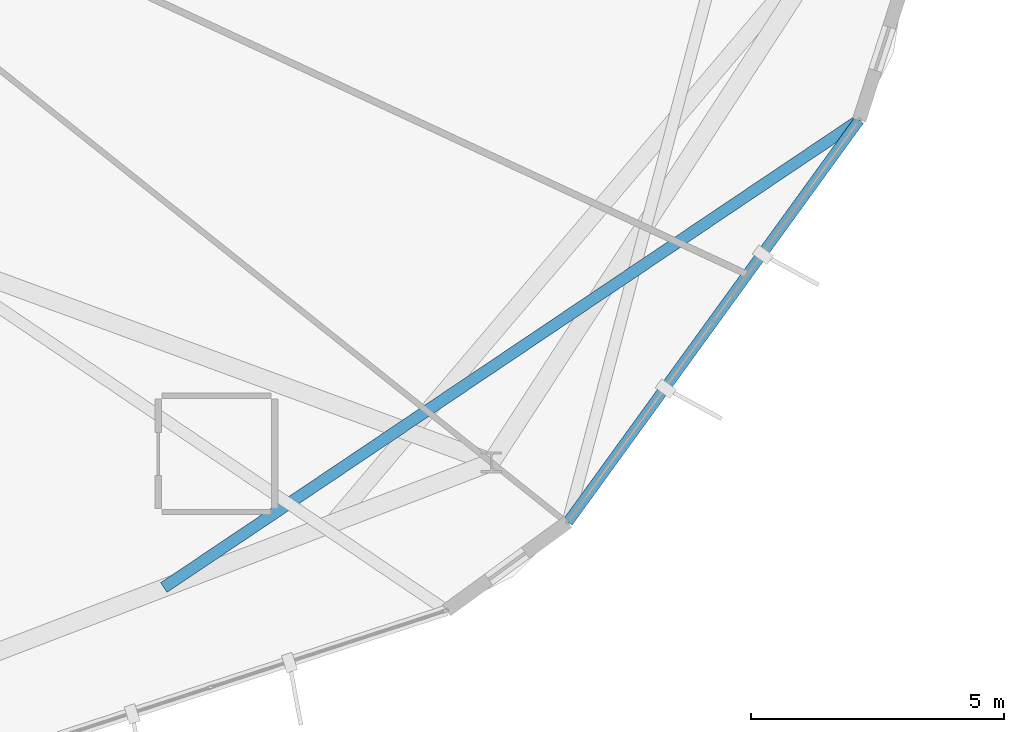
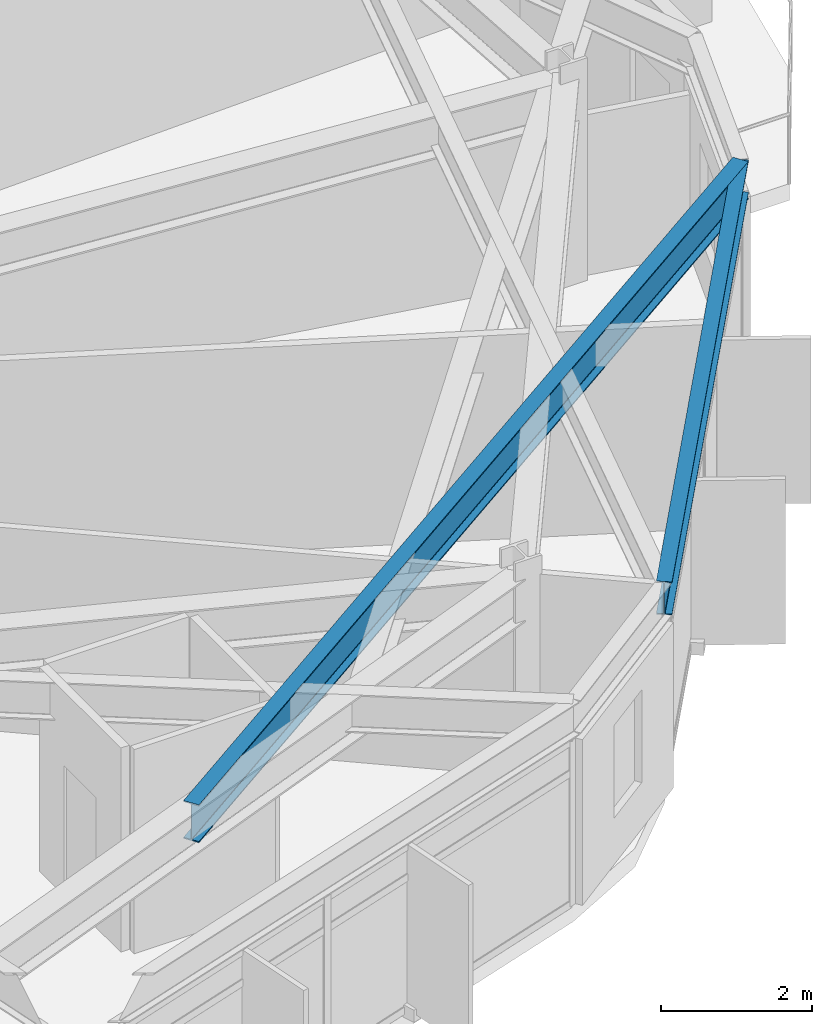
# One storey, part 12 of 31: 2 beams.
"""IFC4 building model written with IfcOpenShell, lengths in metres."""

from ifc_helpers import new_model, si_unit, direction, frame, origin, origin_2d, place, context, subcontext, project, spatial, i_section, extrude, material, material_profile, profile_set, type_object, element, save


model = new_model("IFC4")

# Units and contexts
model_context = context("Model", 3, precision=1e-05, world=origin(), true_north=direction((0.0, 1.0)))
body_context = subcontext(model_context, "Body", "Model", "MODEL_VIEW")
ifc_project = project(units=[si_unit("LENGTHUNIT", "METRE"), si_unit("AREAUNIT", "SQUARE_METRE"), si_unit("VOLUMEUNIT", "CUBIC_METRE"), si_unit("PLANEANGLEUNIT", "RADIAN"), si_unit("MASSUNIT", "GRAM", prefix="KILO")], contexts=[model_context])

# Site, building, storey
site_placement = place(None, origin())
site = spatial("IfcSite", under=ifc_project, at=site_placement, CompositionType="ELEMENT")
building_placement = place(site_placement, origin())
building = spatial("IfcBuilding", under=site, at=building_placement, Name="Soratama Intermodal Tower", CompositionType="ELEMENT")
storey_placement = place(building_placement, frame((0.0, 0.0, 230.199951171875)))
storey = spatial("IfcBuildingStorey", under=building, at=storey_placement, Name="L58", CompositionType="ELEMENT", Elevation=230.199951171875)

# Beams
ifc_material_1 = material(Name="Structural steel ASTM A992 Grade 50", Category="steel")
ifc_material_profile_1 = material_profile(ifc_material_1, i_section(OverallWidth=0.2099609375, OverallDepth=0.537109375, WebThickness=0.010986328125, FlangeThickness=0.017333984375, FilletRadius=0.012939453125, at=origin_2d()), Name="W21X68")
ifc_profile_set_1 = profile_set([ifc_material_profile_1], Name="Structural steel ASTM A992 Grade 50")
beam_type_1 = type_object("IfcBeamType", Name="BM-SPN-W21X68", PredefinedType="SPANDREL", material=ifc_profile_set_1)
beam_1_placement = place(storey_placement, frame((58.218017578125, 9.366943359375, 3.031494140625), z_axis=(0.586867119404, 0.80968326163, 0.0), x_axis=(-0.80968326163, 0.586867119404, 0.0)))
element("IfcBeam", 1, at=beam_1_placement, inside=storey, type_object=beam_type_1, Name="BS-L58-F08", PredefinedType="SPANDREL", context=body_context, shape_type="SweptSolid", body=[
    extrude(i_section(OverallWidth=0.2099609375, OverallDepth=0.537109375, WebThickness=0.010986328125, FlangeThickness=0.017333984375, FilletRadius=0.012939453125, at=origin_2d()), origin(), (0.0, 0.0, 1.0), 9.7978515625),
])
ifc_material_2 = material(Name="Structural steel ASTM A992 Grade 50", Category="steel")
ifc_material_profile_2 = material_profile(ifc_material_2, i_section(OverallWidth=0.22900390625, OverallDepth=0.612060546875, WebThickness=0.011962890625, FlangeThickness=0.01953125, FilletRadius=0.012939453125, at=origin_2d()), Name="W24X84")
ifc_profile_set_2 = profile_set([ifc_material_profile_2], Name="Structural steel ASTM A992 Grade 50")
beam_type_2 = type_object("IfcBeamType", Name="BM-TIE-W24X84", PredefinedType="BEAM", material=ifc_profile_set_2)
beam_2_placement = place(storey_placement, frame((50.239990234375, 8.072998046875, 2.994140625), z_axis=(0.829950728744, 0.557836703577, 0.0), x_axis=(-0.557836703577, 0.829950728744, 0.0)))
element("IfcBeam", 2, at=beam_2_placement, inside=storey, type_object=beam_type_2, Name="BM-L58-TIE1-08", PredefinedType="BEAM", context=body_context, shape_type="SweptSolid", body=[
    extrude(i_section(OverallWidth=0.22900390625, OverallDepth=0.612060546875, WebThickness=0.011962890625, FlangeThickness=0.01953125, FilletRadius=0.012939453125, at=origin_2d()), origin(), (0.0, 0.0, 1.0), 16.540771484375),
])

save(model, "model.ifc")
